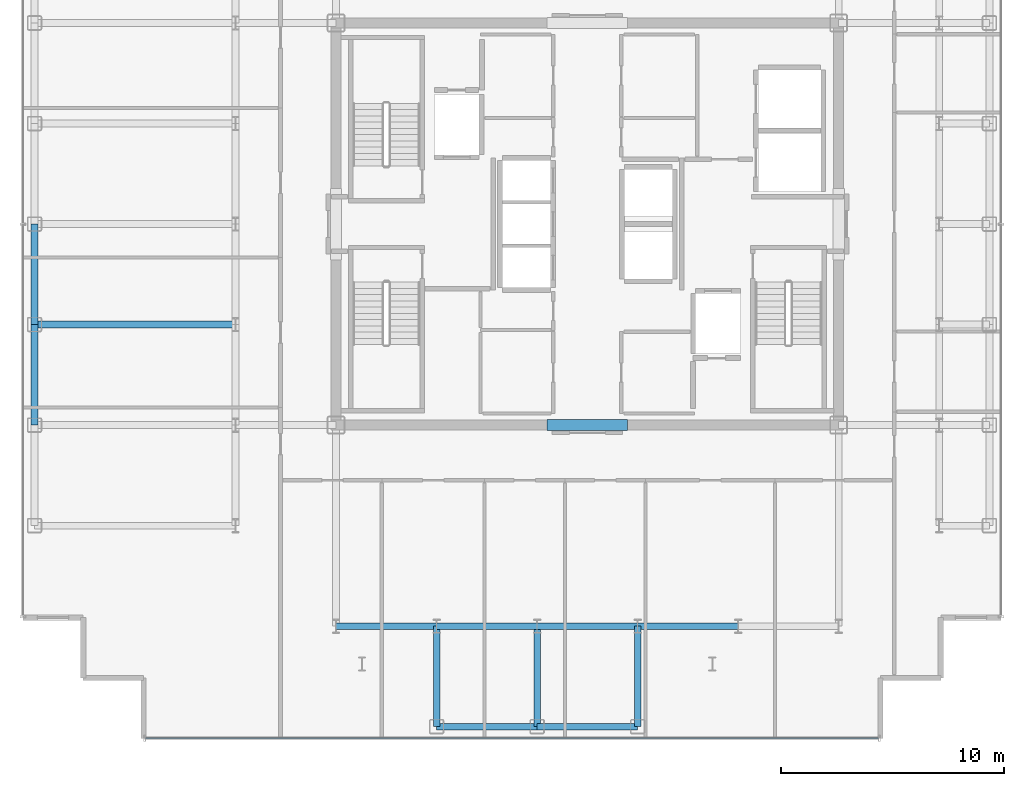
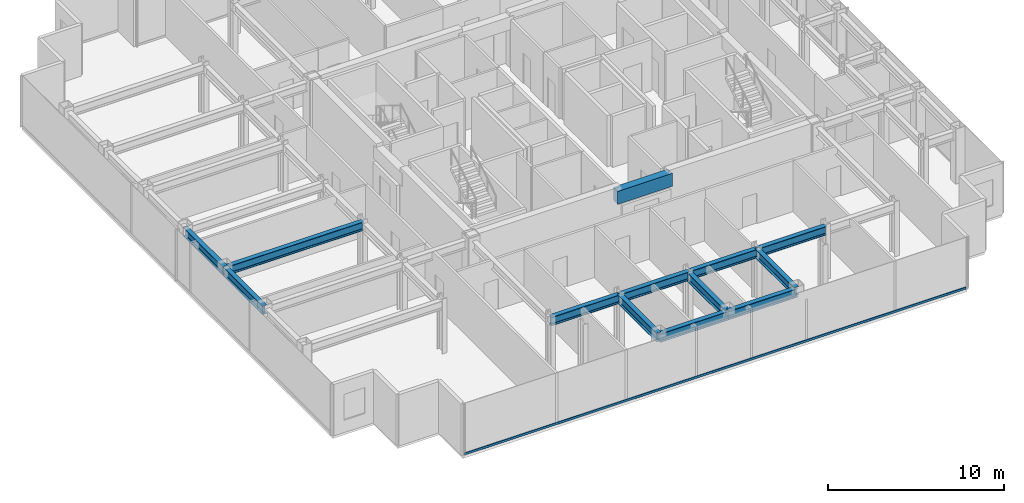
# One storey, part 3 of 18: 13 beams, 1 member, 1 element without a shape of its own.
"""IFC4 building model written with IfcOpenShell, lengths in metres."""

from ifc_helpers import new_model, si_unit, direction, frame, origin, origin_2d, place, context, subcontext, project, spatial, rectangle, hollow_rectangle, i_section, extrude, source, transform, mapped, material, layer, layer_set, material_profile, profile_set, type_object, element, aggregate, save


model = new_model("IFC4")

# Units and contexts
model_context = context("Model", 3, precision=1e-05, world=origin(), true_north=direction((0.0, 1.0)))
body_context = subcontext(model_context, "Body", "Model", "MODEL_VIEW")
ifc_project = project(units=[si_unit("LENGTHUNIT", "METRE"), si_unit("AREAUNIT", "SQUARE_METRE"), si_unit("VOLUMEUNIT", "CUBIC_METRE"), si_unit("PLANEANGLEUNIT", "RADIAN"), si_unit("MASSUNIT", "GRAM", prefix="KILO")], contexts=[model_context])

# Site, building, storey
site_placement = place(None, origin())
site = spatial("IfcSite", under=ifc_project, at=site_placement, CompositionType="ELEMENT")
building_placement = place(site_placement, origin())
building = spatial("IfcBuilding", under=site, at=building_placement, Name="Nefas-Gora Pilgrimage Tower", CompositionType="ELEMENT")
storey_placement = place(building_placement, frame((0.0, 0.0, 268.39990234375)))
storey = spatial("IfcBuildingStorey", under=building, at=storey_placement, Name="L67", CompositionType="ELEMENT", Elevation=268.39990234375)

# Beams
ifc_material_1 = material(Name="Concrete C50/60", Category="concrete")
ifc_material_profile_1 = material_profile(ifc_material_1, rectangle(XDim=0.5, YDim=0.89990234375, at=origin_2d()), Name="RC 500x900")
ifc_profile_set_1 = profile_set([ifc_material_profile_1], Name="Concrete C50/60")
beam_type_1 = type_object("IfcBeamType", Name="BM-LIN-RC900", PredefinedType="LINTEL", material=ifc_profile_set_1)
shared_shape_1 = source(origin(), body_context, "Body", "SweptSolid", [
    extrude(rectangle(XDim=0.5, YDim=0.89990234375, at=origin_2d()), origin(), (0.0, 0.0, 1.0), 3.60009765625),
])
beam_1_placement = place(storey_placement, frame((-1.800048828125, -9.0, 3.10009765625), z_axis=(1.0, 0.0, 0.0), x_axis=(0.0, 1.0, 0.0)))
element("IfcBeam", 1, at=beam_1_placement, inside=storey, type_object=beam_type_1, Name="L67 Core Coupling Lintel Beam S", PredefinedType="LINTEL", context=body_context, shape_type="MappedRepresentation", body=[
    mapped(shared_shape_1, transform((0.0, 0.0, 0.0), x_axis=(1.0, 0.0, 0.0), y_axis=(0.0, 1.0, 0.0), z_axis=(0.0, 0.0, 1.0), scale=1.0)),
])
ifc_material_2 = material(Name="Steel S355", Category="steel")
ifc_material_profile_2 = material_profile(ifc_material_2, i_section(OverallWidth=0.300048828125, OverallDepth=0.60009765625, WebThickness=0.015380859375, FlangeThickness=0.030029296875, FilletRadius=0.027099609375, at=origin_2d()), Name="HEB 600")
ifc_profile_set_2 = profile_set([ifc_material_profile_2], Name="Steel S355")
beam_type_2 = type_object("IfcBeamType", Name="BM-SPN-HEB450", PredefinedType="SPANDREL", material=ifc_profile_set_2)
shared_shape_2 = source(origin(), body_context, "Body", "SweptSolid", [
    extrude(i_section(OverallWidth=0.300048828125, OverallDepth=0.60009765625, WebThickness=0.015380859375, FlangeThickness=0.030029296875, FilletRadius=0.027099609375, at=origin_2d()), origin(), (0.0, 0.0, 1.0), 4.5),
])
for number, where, z_axis, x_axis, name in (
    (2, (-24.75, -9.0, 3.25), (0.0, 1.0, 0.0), (-1.0, 0.0, 0.0), "L67 SP-03 beam"),
    (3, (-24.75, -4.5, 3.25), (0.0, 1.0, 0.0), (-1.0, 0.0, 0.0), "L67 SP-03 beam"),
    (4, (-6.75, -22.5, 3.25), (1.0, 0.0, 0.0), (0.0, 1.0, 0.0), "L67 SP-03 beam"),
    (5, (-2.25, -22.5, 3.25), (1.0, 0.0, 0.0), (0.0, 1.0, 0.0), "L67 SP-03 beam"),
):
    element("IfcBeam", number, at=place(storey_placement, frame(where, z_axis=z_axis, x_axis=x_axis)), inside=storey, type_object=beam_type_2, Name=name, PredefinedType="SPANDREL", context=body_context, shape_type="MappedRepresentation", body=[
        mapped(shared_shape_2, transform((0.0, 0.0, 0.0), x_axis=(1.0, 0.0, 0.0), y_axis=(0.0, 1.0, 0.0), z_axis=(0.0, 0.0, 1.0), scale=1.0)),
    ])
ifc_material_profile_3 = material_profile(ifc_material_2, i_section(OverallWidth=0.300048828125, OverallDepth=0.60009765625, WebThickness=0.015380859375, FlangeThickness=0.030029296875, FilletRadius=0.027099609375, at=origin_2d()), Name="HEB 600")
ifc_profile_set_3 = profile_set([ifc_material_profile_3], Name="Steel S355")
beam_type_3 = type_object("IfcBeamType", Name="BM-GIR-HEB600", PredefinedType="BEAM", material=ifc_profile_set_3)
shared_shape_3 = source(origin(), body_context, "Body", "SweptSolid", [
    extrude(i_section(OverallWidth=0.300048828125, OverallDepth=0.60009765625, WebThickness=0.015380859375, FlangeThickness=0.030029296875, FilletRadius=0.027099609375, at=origin_2d()), origin(), (0.0, 0.0, 1.0), 9.0),
])
beam_2_placement = place(storey_placement, frame((-24.75, -4.5, 3.25), z_axis=(1.0, 0.0, 0.0), x_axis=(0.0, 1.0, 0.0)))
element("IfcBeam", 6, at=beam_2_placement, inside=storey, type_object=beam_type_3, Name="L67 G-04 beam", PredefinedType="BEAM", context=body_context, shape_type="MappedRepresentation", body=[
    mapped(shared_shape_3, transform((0.0, 0.0, 0.0), x_axis=(1.0, 0.0, 0.0), y_axis=(0.0, 1.0, 0.0), z_axis=(0.0, 0.0, 1.0), scale=1.0)),
])
shared_shape_4 = source(origin(), body_context, "Body", "SweptSolid", [
    extrude(i_section(OverallWidth=0.300048828125, OverallDepth=0.60009765625, WebThickness=0.015380859375, FlangeThickness=0.030029296875, FilletRadius=0.027099609375, at=origin_2d()), origin(), (0.0, 0.0, 1.0), 4.5),
])
for number, where, z_axis, x_axis, name in (
    (7, (-11.25, -18.0, 3.25), (1.0, 0.0, 0.0), (0.0, 1.0, 0.0), "L67 G-04 beam"),
    (8, (-6.75, -22.5, 3.25), (0.0, 1.0, 0.0), (-1.0, 0.0, 0.0), "L67 G-04 beam"),
    (9, (-6.75, -18.0, 3.25), (1.0, 0.0, 0.0), (0.0, 1.0, 0.0), "L67 G-04 beam"),
    (10, (-2.25, -22.5, 3.25), (0.0, 1.0, 0.0), (-1.0, 0.0, 0.0), "L67 G-04 beam"),
    (11, (-2.25, -18.0, 3.25), (1.0, 0.0, 0.0), (0.0, 1.0, 0.0), "L67 G-04 beam"),
    (12, (2.25, -22.5, 3.25), (0.0, 1.0, 0.0), (-1.0, 0.0, 0.0), "L67 G-04 beam"),
    (13, (2.25, -18.0, 3.25), (1.0, 0.0, 0.0), (0.0, 1.0, 0.0), "L67 G-04 beam"),
):
    element("IfcBeam", number, at=place(storey_placement, frame(where, z_axis=z_axis, x_axis=x_axis)), inside=storey, type_object=beam_type_3, Name=name, PredefinedType="BEAM", context=body_context, shape_type="MappedRepresentation", body=[
        mapped(shared_shape_4, transform((0.0, 0.0, 0.0), x_axis=(1.0, 0.0, 0.0), y_axis=(0.0, 1.0, 0.0), z_axis=(0.0, 0.0, 1.0), scale=1.0)),
    ])

# Curtain wall, member
ifc_material_3 = material(Name="Dark ceramic-fritted solar-control aluminium-glass curtain wall", Category="aluminium")
ifc_layer = layer(ifc_material_3, 0.219970703125)
ifc_layer_set = layer_set([ifc_layer], Name="Dark ceramic-fritted solar-control aluminium-glass curtain wall")
curtain_wall_type = type_object("IfcCurtainWallType", Name="CW-SYS-4", PredefinedType="NOTDEFINED", material=ifc_layer_set)
curtain_wall_placement = place(storey_placement, origin())
curtain_wall = element("IfcCurtainWall", 14, at=curtain_wall_placement, inside=storey, type_object=curtain_wall_type, Name="L67 Unitised Curtain Wall CW4", PredefinedType="NOTDEFINED")
ifc_material_4 = material(Name="Anodised architectural aluminium", Category="aluminium")
ifc_material_profile_4 = material_profile(ifc_material_4, hollow_rectangle(XDim=0.080078125, YDim=0.159912109375, WallThickness=0.00439453125, InnerFilletRadius=0.00439453125, OuterFilletRadius=0.009033203125, at=origin_2d()), Name="ALU TRANSOM 80x160")
ifc_profile_set_4 = profile_set([ifc_material_profile_4], Name="Anodised architectural aluminium")
member_type = type_object("IfcMemberType", Name="CWM-TRN-4", PredefinedType="USERDEFINED", material=ifc_profile_set_4)
shared_shape_5 = source(origin(), body_context, "Body", "SweptSolid", [
    extrude(hollow_rectangle(XDim=0.080078125, YDim=0.159912109375, WallThickness=0.00439453125, InnerFilletRadius=0.00439453125, OuterFilletRadius=0.009033203125, at=origin_2d()), origin(), (0.0, 0.0, 1.0), 32.81005859375),
])
member_placement = place(storey_placement, frame((-19.780029296875, -23.02001953125, 0.050048828125), z_axis=(1.0, 0.0, 0.0), x_axis=(0.0, 1.0, 0.0)))
member = element("IfcMember", 15, at=member_placement, type_object=member_type, Name="CW4 Spandrel Transom", ObjectType="TRANSOM", PredefinedType="USERDEFINED", context=body_context, shape_type="MappedRepresentation", body=[
    mapped(shared_shape_5, transform((0.0, 0.0, 0.0), x_axis=(1.0, 0.0, 0.0), y_axis=(0.0, 1.0, 0.0), z_axis=(0.0, 0.0, 1.0), scale=1.0)),
])
aggregate(curtain_wall, [member])

save(model, "model.ifc")
